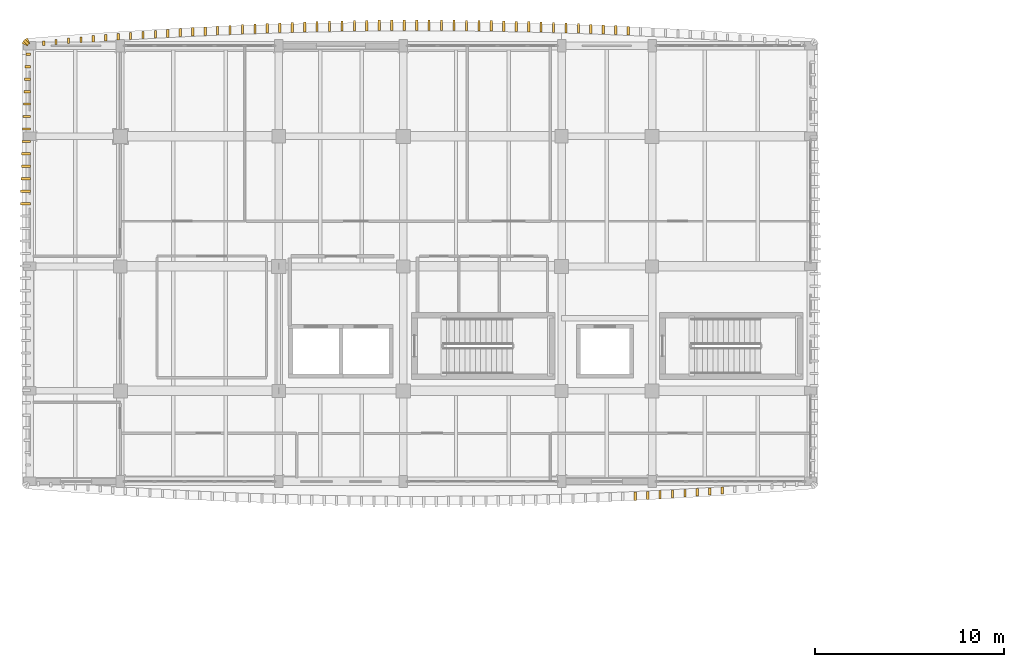
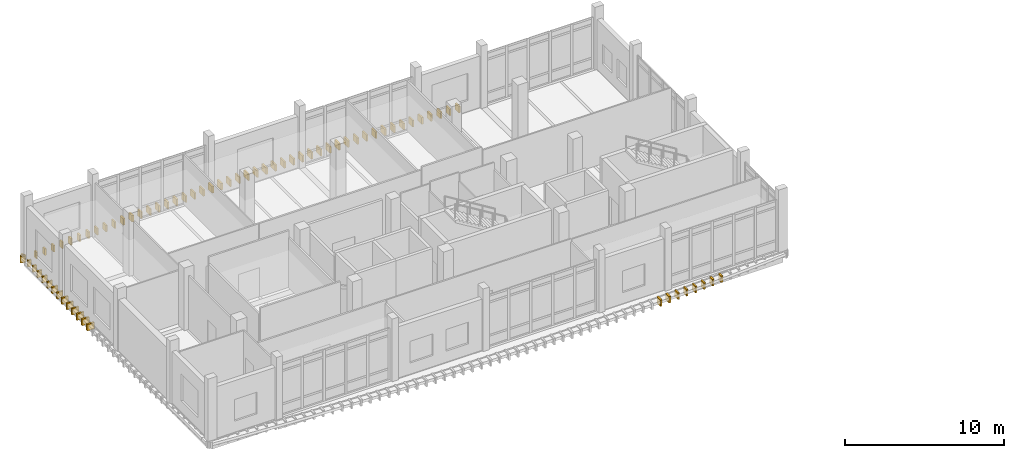
# One storey, part 35 of 39: 72 coverings.
"""IFC4 building model written with IfcOpenShell, lengths in metres."""

from ifc_helpers import new_model, si_unit, direction, frame, origin, origin_2d, place, context, subcontext, project, spatial, rectangle, extrude, material, layer, layer_set, type_object, element, save


model = new_model("IFC4")

# Units and contexts
model_context = context("Model", 3, precision=1e-05, world=origin(), true_north=direction((0.0, 1.0)))
body_context = subcontext(model_context, "Body", "Model", "MODEL_VIEW")
ifc_project = project(units=[si_unit("LENGTHUNIT", "METRE"), si_unit("AREAUNIT", "SQUARE_METRE"), si_unit("VOLUMEUNIT", "CUBIC_METRE"), si_unit("PLANEANGLEUNIT", "RADIAN"), si_unit("MASSUNIT", "GRAM", prefix="KILO")], contexts=[model_context])

# Site, building, storey
site_placement = place(None, origin())
site = spatial("IfcSite", under=ifc_project, at=site_placement, CompositionType="ELEMENT")
building_placement = place(site_placement, origin())
building = spatial("IfcBuilding", under=site, at=building_placement, Name="Dornvale Research Institute", CompositionType="ELEMENT")
storey_placement = place(building_placement, frame((0.0, 0.0, 24.60009765625)))
storey = spatial("IfcBuildingStorey", under=building, at=storey_placement, Name="L05", CompositionType="ELEMENT", Elevation=24.60009765625)

# Coverings
ifc_material = material(Name="Polychrome Glazed Terracotta Visor Rib Ceramic", Category="masonry")
ifc_layer = layer(ifc_material, 0.1201171875)
ifc_layer_set = layer_set([ifc_layer], Name="Polychrome Glazed Terracotta Visor Rib Ceramic")
covering_type = type_object("IfcCoveringType", Name="Covering_VisorBlade_Main", PredefinedType="CLADDING", material=ifc_layer_set)
covering_1_placement = place(storey_placement, frame((32.102783203125, 98.220703125, -0.489990234375), z_axis=(0.0, 0.0, 1.0), x_axis=(0.0, 1.0, 0.0)))
element("IfcCovering", 1, at=covering_1_placement, inside=storey, type_object=covering_type, Name="L05 V5 canted glazed terracotta visor blade #835", PredefinedType="CLADDING", context=body_context, shape_type="SweptSolid", body=[
    extrude(rectangle(XDim=0.45703125, YDim=0.1201171875, at=origin_2d()), origin(), (0.0, 0.0, 1.0), 0.5),
])
covering_2_placement = place(storey_placement, frame((32.76220703125, 98.257080078125, -0.489990234375), z_axis=(0.0, 0.0, 1.0), x_axis=(0.0, 1.0, 0.0)))
element("IfcCovering", 2, at=covering_2_placement, inside=storey, type_object=covering_type, Name="L05 V5 canted glazed terracotta visor blade #836", PredefinedType="CLADDING", context=body_context, shape_type="SweptSolid", body=[
    extrude(rectangle(XDim=0.445068359375, YDim=0.1201171875, at=origin_2d()), origin(), (0.0, 0.0, 1.0), 0.5),
])
covering_3_placement = place(storey_placement, frame((33.42138671875, 98.2958984375, -0.489990234375), z_axis=(0.0, 0.0, 1.0), x_axis=(0.0, 1.0, 0.0)))
element("IfcCovering", 3, at=covering_3_placement, inside=storey, type_object=covering_type, Name="L05 V5 canted glazed terracotta visor blade #837", PredefinedType="CLADDING", context=body_context, shape_type="SweptSolid", body=[
    extrude(rectangle(XDim=0.431884765625, YDim=0.1201171875, at=origin_2d()), origin(), (0.0, 0.0, 1.0), 0.5),
])
covering_4_placement = place(storey_placement, frame((34.08056640625, 98.33740234375, -0.489990234375), z_axis=(0.0, 0.0, 1.0), x_axis=(0.0, 1.0, 0.0)))
element("IfcCovering", 4, at=covering_4_placement, inside=storey, type_object=covering_type, Name="L05 V5 canted glazed terracotta visor blade #838", PredefinedType="CLADDING", context=body_context, shape_type="SweptSolid", body=[
    extrude(rectangle(XDim=0.41796875, YDim=0.1201171875, at=origin_2d()), origin(), (0.0, 0.0, 1.0), 0.5),
])
covering_5_placement = place(storey_placement, frame((34.739501953125, 98.379150390625, -0.489990234375), z_axis=(0.0, 0.0, 1.0), x_axis=(0.0, 1.0, 0.0)))
element("IfcCovering", 5, at=covering_5_placement, inside=storey, type_object=covering_type, Name="L05 V5 canted glazed terracotta visor blade #839", PredefinedType="CLADDING", context=body_context, shape_type="SweptSolid", body=[
    extrude(rectangle(XDim=0.404052734375, YDim=0.1201171875, at=origin_2d()), origin(), (0.0, 0.0, 1.0), 0.5),
])
covering_6_placement = place(storey_placement, frame((35.3984375, 98.42529296875, -0.489990234375), z_axis=(0.0, 0.0, 1.0), x_axis=(0.0, 1.0, 0.0)))
element("IfcCovering", 6, at=covering_6_placement, inside=storey, type_object=covering_type, Name="L05 V5 canted glazed terracotta visor blade #840", PredefinedType="CLADDING", context=body_context, shape_type="SweptSolid", body=[
    extrude(rectangle(XDim=0.388916015625, YDim=0.1201171875, at=origin_2d()), origin(), (0.0, 0.0, 1.0), 0.5),
])
covering_7_placement = place(storey_placement, frame((36.057373046875, 98.472412109375, -0.489990234375), z_axis=(0.0, 0.0, 1.0), x_axis=(0.0, 1.0, 0.0)))
element("IfcCovering", 7, at=covering_7_placement, inside=storey, type_object=covering_type, Name="L05 V5 canted glazed terracotta visor blade #841", PredefinedType="CLADDING", context=body_context, shape_type="SweptSolid", body=[
    extrude(rectangle(XDim=0.373046875, YDim=0.1201171875, at=origin_2d()), origin(), (0.0, 0.0, 1.0), 0.5),
])
covering_8_placement = place(storey_placement, frame((36.716064453125, 98.521240234375, -0.489990234375), z_axis=(0.0, 0.0, 1.0), x_axis=(0.0, 1.0, 0.0)))
element("IfcCovering", 8, at=covering_8_placement, inside=storey, type_object=covering_type, Name="L05 V5 canted glazed terracotta visor blade #842", PredefinedType="CLADDING", context=body_context, shape_type="SweptSolid", body=[
    extrude(rectangle(XDim=0.35693359375, YDim=0.1201171875, at=origin_2d()), origin(), (0.0, 0.0, 1.0), 0.5),
])
covering_9_placement = place(storey_placement, frame((31.729736328125, 122.89990234375, -0.489990234375), z_axis=(0.0, 0.0, 1.0), x_axis=(0.0, 1.0, 0.0)))
element("IfcCovering", 9, at=covering_9_placement, inside=storey, type_object=covering_type, Name="L05 V5 canted glazed terracotta visor blade #863", PredefinedType="CLADDING", context=body_context, shape_type="SweptSolid", body=[
    extrude(rectangle(XDim=0.464111328125, YDim=0.1201171875, at=origin_2d()), origin(), (0.0, 0.0, 1.0), 0.5),
])
covering_10_placement = place(storey_placement, frame((31.0703125, 122.93310546875, -0.489990234375), z_axis=(0.0, 0.0, 1.0), x_axis=(0.0, 1.0, 0.0)))
element("IfcCovering", 10, at=covering_10_placement, inside=storey, type_object=covering_type, Name="L05 V5 canted glazed terracotta visor blade #864", PredefinedType="CLADDING", context=body_context, shape_type="SweptSolid", body=[
    extrude(rectangle(XDim=0.47509765625, YDim=0.1201171875, at=origin_2d()), origin(), (0.0, 0.0, 1.0), 0.5),
])
covering_11_placement = place(storey_placement, frame((30.410888671875, 122.964111328125, -0.489990234375), z_axis=(0.0, 0.0, 1.0), x_axis=(0.0, 1.0, 0.0)))
element("IfcCovering", 11, at=covering_11_placement, inside=storey, type_object=covering_type, Name="L05 V5 canted glazed terracotta visor blade #865", PredefinedType="CLADDING", context=body_context, shape_type="SweptSolid", body=[
    extrude(rectangle(XDim=0.485107421875, YDim=0.1201171875, at=origin_2d()), origin(), (0.0, 0.0, 1.0), 0.5),
])
covering_12_placement = place(storey_placement, frame((29.751220703125, 122.994873046875, -0.489990234375), z_axis=(0.0, 0.0, 1.0), x_axis=(0.0, 1.0, 0.0)))
element("IfcCovering", 12, at=covering_12_placement, inside=storey, type_object=covering_type, Name="L05 V5 canted glazed terracotta visor blade #866", PredefinedType="CLADDING", context=body_context, shape_type="SweptSolid", body=[
    extrude(rectangle(XDim=0.4951171875, YDim=0.1201171875, at=origin_2d()), origin(), (0.0, 0.0, 1.0), 0.5),
])
covering_13_placement = place(storey_placement, frame((29.091552734375, 123.02099609375, -0.489990234375), z_axis=(0.0, 0.0, 1.0), x_axis=(0.0, 1.0, 0.0)))
element("IfcCovering", 13, at=covering_13_placement, inside=storey, type_object=covering_type, Name="L05 V5 canted glazed terracotta visor blade #867", PredefinedType="CLADDING", context=body_context, shape_type="SweptSolid", body=[
    extrude(rectangle(XDim=0.50390625, YDim=0.1201171875, at=origin_2d()), origin(), (0.0, 0.0, 1.0), 0.5),
])
covering_14_placement = place(storey_placement, frame((28.431884765625, 123.047119140625, -0.489990234375), z_axis=(0.0, 0.0, 1.0), x_axis=(0.0, 1.0, 0.0)))
element("IfcCovering", 14, at=covering_14_placement, inside=storey, type_object=covering_type, Name="L05 V5 canted glazed terracotta visor blade #868", PredefinedType="CLADDING", context=body_context, shape_type="SweptSolid", body=[
    extrude(rectangle(XDim=0.512939453125, YDim=0.1201171875, at=origin_2d()), origin(), (0.0, 0.0, 1.0), 0.5),
])
covering_15_placement = place(storey_placement, frame((27.772216796875, 123.06982421875, -0.489990234375), z_axis=(0.0, 0.0, 1.0), x_axis=(0.0, 1.0, 0.0)))
element("IfcCovering", 15, at=covering_15_placement, inside=storey, type_object=covering_type, Name="L05 V5 canted glazed terracotta visor blade #869", PredefinedType="CLADDING", context=body_context, shape_type="SweptSolid", body=[
    extrude(rectangle(XDim=0.52001953125, YDim=0.1201171875, at=origin_2d()), origin(), (0.0, 0.0, 1.0), 0.5),
])
covering_16_placement = place(storey_placement, frame((27.112548828125, 123.0908203125, -0.489990234375), z_axis=(0.0, 0.0, 1.0), x_axis=(0.0, 1.0, 0.0)))
element("IfcCovering", 16, at=covering_16_placement, inside=storey, type_object=covering_type, Name="L05 V5 canted glazed terracotta visor blade #870", PredefinedType="CLADDING", context=body_context, shape_type="SweptSolid", body=[
    extrude(rectangle(XDim=0.527099609375, YDim=0.1201171875, at=origin_2d()), origin(), (0.0, 0.0, 1.0), 0.5),
])
covering_17_placement = place(storey_placement, frame((26.45263671875, 123.111328125, -0.489990234375), z_axis=(0.0, 0.0, 1.0), x_axis=(0.0, 1.0, 0.0)))
element("IfcCovering", 17, at=covering_17_placement, inside=storey, type_object=covering_type, Name="L05 V5 canted glazed terracotta visor blade #871", PredefinedType="CLADDING", context=body_context, shape_type="SweptSolid", body=[
    extrude(rectangle(XDim=0.533935546875, YDim=0.1201171875, at=origin_2d()), origin(), (0.0, 0.0, 1.0), 0.5),
])
covering_18_placement = place(storey_placement, frame((25.792724609375, 123.126708984375, -0.489990234375), z_axis=(0.0, 0.0, 1.0), x_axis=(0.0, 1.0, 0.0)))
element("IfcCovering", 18, at=covering_18_placement, inside=storey, type_object=covering_type, Name="L05 V5 canted glazed terracotta visor blade #872", PredefinedType="CLADDING", context=body_context, shape_type="SweptSolid", body=[
    extrude(rectangle(XDim=0.5390625, YDim=0.1201171875, at=origin_2d()), origin(), (0.0, 0.0, 1.0), 0.5),
])
covering_19_placement = place(storey_placement, frame((25.133056640625, 123.14208984375, -0.489990234375), z_axis=(0.0, 0.0, 1.0), x_axis=(0.0, 1.0, 0.0)))
element("IfcCovering", 19, at=covering_19_placement, inside=storey, type_object=covering_type, Name="L05 V5 canted glazed terracotta visor blade #873", PredefinedType="CLADDING", context=body_context, shape_type="SweptSolid", body=[
    extrude(rectangle(XDim=0.5439453125, YDim=0.1201171875, at=origin_2d()), origin(), (0.0, 0.0, 1.0), 0.5),
])
covering_20_placement = place(storey_placement, frame((24.47314453125, 123.1552734375, -0.489990234375), z_axis=(0.0, 0.0, 1.0), x_axis=(0.0, 1.0, 0.0)))
element("IfcCovering", 20, at=covering_20_placement, inside=storey, type_object=covering_type, Name="L05 V5 canted glazed terracotta visor blade #874", PredefinedType="CLADDING", context=body_context, shape_type="SweptSolid", body=[
    extrude(rectangle(XDim=0.549072265625, YDim=0.1201171875, at=origin_2d()), origin(), (0.0, 0.0, 1.0), 0.5),
])
covering_21_placement = place(storey_placement, frame((23.81298828125, 123.16552734375, -0.489990234375), z_axis=(0.0, 0.0, 1.0), x_axis=(0.0, 1.0, 0.0)))
element("IfcCovering", 21, at=covering_21_placement, inside=storey, type_object=covering_type, Name="L05 V5 canted glazed terracotta visor blade #875", PredefinedType="CLADDING", context=body_context, shape_type="SweptSolid", body=[
    extrude(rectangle(XDim=0.552001953125, YDim=0.1201171875, at=origin_2d()), origin(), (0.0, 0.0, 1.0), 0.5),
])
covering_22_placement = place(storey_placement, frame((23.1533203125, 123.175537109375, -0.489990234375), z_axis=(0.0, 0.0, 1.0), x_axis=(0.0, 1.0, 0.0)))
element("IfcCovering", 22, at=covering_22_placement, inside=storey, type_object=covering_type, Name="L05 V5 canted glazed terracotta visor blade #876", PredefinedType="CLADDING", context=body_context, shape_type="SweptSolid", body=[
    extrude(rectangle(XDim=0.554931640625, YDim=0.1201171875, at=origin_2d()), origin(), (0.0, 0.0, 1.0), 0.5),
])
covering_23_placement = place(storey_placement, frame((22.4931640625, 123.180908203125, -0.489990234375), z_axis=(0.0, 0.0, 1.0), x_axis=(0.0, 1.0, 0.0)))
element("IfcCovering", 23, at=covering_23_placement, inside=storey, type_object=covering_type, Name="L05 V5 canted glazed terracotta visor blade #877", PredefinedType="CLADDING", context=body_context, shape_type="SweptSolid", body=[
    extrude(rectangle(XDim=0.556884765625, YDim=0.1201171875, at=origin_2d()), origin(), (0.0, 0.0, 1.0), 0.5),
])
covering_24_placement = place(storey_placement, frame((21.833251953125, 123.18603515625, -0.489990234375), z_axis=(0.0, 0.0, 1.0), x_axis=(0.0, 1.0, 0.0)))
element("IfcCovering", 24, at=covering_24_placement, inside=storey, type_object=covering_type, Name="L05 V5 canted glazed terracotta visor blade #878", PredefinedType="CLADDING", context=body_context, shape_type="SweptSolid", body=[
    extrude(rectangle(XDim=0.55908203125, YDim=0.1201171875, at=origin_2d()), origin(), (0.0, 0.0, 1.0), 0.5),
])
for number, where, z_axis, x_axis, name in (
    (25, (21.173095703125, 123.188720703125, -0.489990234375), (0.0, 0.0, 1.0), (0.0, 1.0, 0.0), "L05 V5 canted glazed terracotta visor blade #879"),
    (26, (20.51318359375, 123.188720703125, -0.489990234375), (0.0, 0.0, 1.0), (0.0, 1.0, 0.0), "L05 V5 canted glazed terracotta visor blade #880"),
):
    element("IfcCovering", number, at=place(storey_placement, frame(where, z_axis=z_axis, x_axis=x_axis)), inside=storey, type_object=covering_type, Name=name, PredefinedType="CLADDING", context=body_context, shape_type="SweptSolid", body=[
        extrude(rectangle(XDim=0.56005859375, YDim=0.1201171875, at=origin_2d()), origin(), (0.0, 0.0, 1.0), 0.5),
    ])
covering_25_placement = place(storey_placement, frame((19.853271484375, 123.18798828125, -0.489990234375), z_axis=(0.0, 0.0, 1.0), x_axis=(0.0, 1.0, 0.0)))
element("IfcCovering", 27, at=covering_25_placement, inside=storey, type_object=covering_type, Name="L05 V5 canted glazed terracotta visor blade #881", PredefinedType="CLADDING", context=body_context, shape_type="SweptSolid", body=[
    extrude(rectangle(XDim=0.55908203125, YDim=0.1201171875, at=origin_2d()), origin(), (0.0, 0.0, 1.0), 0.5),
])
covering_26_placement = place(storey_placement, frame((19.193115234375, 123.18310546875, -0.489990234375), z_axis=(0.0, 0.0, 1.0), x_axis=(0.0, 1.0, 0.0)))
element("IfcCovering", 28, at=covering_26_placement, inside=storey, type_object=covering_type, Name="L05 V5 canted glazed terracotta visor blade #882", PredefinedType="CLADDING", context=body_context, shape_type="SweptSolid", body=[
    extrude(rectangle(XDim=0.55810546875, YDim=0.1201171875, at=origin_2d()), origin(), (0.0, 0.0, 1.0), 0.5),
])
covering_27_placement = place(storey_placement, frame((18.533203125, 123.177978515625, -0.489990234375), z_axis=(0.0, 0.0, 1.0), x_axis=(0.0, 1.0, 0.0)))
element("IfcCovering", 29, at=covering_27_placement, inside=storey, type_object=covering_type, Name="L05 V5 canted glazed terracotta visor blade #883", PredefinedType="CLADDING", context=body_context, shape_type="SweptSolid", body=[
    extrude(rectangle(XDim=0.555908203125, YDim=0.1201171875, at=origin_2d()), origin(), (0.0, 0.0, 1.0), 0.5),
])
covering_28_placement = place(storey_placement, frame((17.873291015625, 123.17041015625, -0.489990234375), z_axis=(0.0, 0.0, 1.0), x_axis=(0.0, 1.0, 0.0)))
element("IfcCovering", 30, at=covering_28_placement, inside=storey, type_object=covering_type, Name="L05 V5 canted glazed terracotta visor blade #884", PredefinedType="CLADDING", context=body_context, shape_type="SweptSolid", body=[
    extrude(rectangle(XDim=0.553955078125, YDim=0.1201171875, at=origin_2d()), origin(), (0.0, 0.0, 1.0), 0.5),
])
covering_29_placement = place(storey_placement, frame((17.21337890625, 123.15966796875, -0.489990234375), z_axis=(0.0, 0.0, 1.0), x_axis=(0.0, 1.0, 0.0)))
element("IfcCovering", 31, at=covering_29_placement, inside=storey, type_object=covering_type, Name="L05 V5 canted glazed terracotta visor blade #885", PredefinedType="CLADDING", context=body_context, shape_type="SweptSolid", body=[
    extrude(rectangle(XDim=0.550048828125, YDim=0.1201171875, at=origin_2d()), origin(), (0.0, 0.0, 1.0), 0.5),
])
covering_30_placement = place(storey_placement, frame((16.553466796875, 123.14892578125, -0.489990234375), z_axis=(0.0, 0.0, 1.0), x_axis=(0.0, 1.0, 0.0)))
element("IfcCovering", 32, at=covering_30_placement, inside=storey, type_object=covering_type, Name="L05 V5 canted glazed terracotta visor blade #886", PredefinedType="CLADDING", context=body_context, shape_type="SweptSolid", body=[
    extrude(rectangle(XDim=0.5458984375, YDim=0.1201171875, at=origin_2d()), origin(), (0.0, 0.0, 1.0), 0.5),
])
covering_31_placement = place(storey_placement, frame((15.8935546875, 123.1337890625, -0.489990234375), z_axis=(0.0, 0.0, 1.0), x_axis=(0.0, 1.0, 0.0)))
element("IfcCovering", 33, at=covering_31_placement, inside=storey, type_object=covering_type, Name="L05 V5 canted glazed terracotta visor blade #887", PredefinedType="CLADDING", context=body_context, shape_type="SweptSolid", body=[
    extrude(rectangle(XDim=0.5419921875, YDim=0.1201171875, at=origin_2d()), origin(), (0.0, 0.0, 1.0), 0.5),
])
covering_32_placement = place(storey_placement, frame((15.233642578125, 123.117919921875, -0.489990234375), z_axis=(0.0, 0.0, 1.0), x_axis=(0.0, 1.0, 0.0)))
element("IfcCovering", 34, at=covering_32_placement, inside=storey, type_object=covering_type, Name="L05 V5 canted glazed terracotta visor blade #888", PredefinedType="CLADDING", context=body_context, shape_type="SweptSolid", body=[
    extrude(rectangle(XDim=0.535888671875, YDim=0.1201171875, at=origin_2d()), origin(), (0.0, 0.0, 1.0), 0.5),
])
covering_33_placement = place(storey_placement, frame((14.57373046875, 123.099609375, -0.489990234375), z_axis=(0.0, 0.0, 1.0), x_axis=(0.0, 1.0, 0.0)))
element("IfcCovering", 35, at=covering_33_placement, inside=storey, type_object=covering_type, Name="L05 V5 canted glazed terracotta visor blade #889", PredefinedType="CLADDING", context=body_context, shape_type="SweptSolid", body=[
    extrude(rectangle(XDim=0.530029296875, YDim=0.1201171875, at=origin_2d()), origin(), (0.0, 0.0, 1.0), 0.5),
])
covering_34_placement = place(storey_placement, frame((13.9140625, 123.079345703125, -0.489990234375), z_axis=(0.0, 0.0, 1.0), x_axis=(0.0, 1.0, 0.0)))
element("IfcCovering", 36, at=covering_34_placement, inside=storey, type_object=covering_type, Name="L05 V5 canted glazed terracotta visor blade #890", PredefinedType="CLADDING", context=body_context, shape_type="SweptSolid", body=[
    extrude(rectangle(XDim=0.52392578125, YDim=0.1201171875, at=origin_2d()), origin(), (0.0, 0.0, 1.0), 0.5),
])
covering_35_placement = place(storey_placement, frame((13.25439453125, 123.05810546875, -0.489990234375), z_axis=(0.0, 0.0, 1.0), x_axis=(0.0, 1.0, 0.0)))
element("IfcCovering", 37, at=covering_35_placement, inside=storey, type_object=covering_type, Name="L05 V5 canted glazed terracotta visor blade #891", PredefinedType="CLADDING", context=body_context, shape_type="SweptSolid", body=[
    extrude(rectangle(XDim=0.51611328125, YDim=0.1201171875, at=origin_2d()), origin(), (0.0, 0.0, 1.0), 0.5),
])
covering_36_placement = place(storey_placement, frame((12.594482421875, 123.0322265625, -0.489990234375), z_axis=(0.0, 0.0, 1.0), x_axis=(0.0, 1.0, 0.0)))
element("IfcCovering", 38, at=covering_36_placement, inside=storey, type_object=covering_type, Name="L05 V5 canted glazed terracotta visor blade #892", PredefinedType="CLADDING", context=body_context, shape_type="SweptSolid", body=[
    extrude(rectangle(XDim=0.508056640625, YDim=0.1201171875, at=origin_2d()), origin(), (0.0, 0.0, 1.0), 0.5),
])
covering_37_placement = place(storey_placement, frame((11.93505859375, 123.006103515625, -0.489990234375), z_axis=(0.0, 0.0, 1.0), x_axis=(0.0, 1.0, 0.0)))
element("IfcCovering", 39, at=covering_37_placement, inside=storey, type_object=covering_type, Name="L05 V5 canted glazed terracotta visor blade #893", PredefinedType="CLADDING", context=body_context, shape_type="SweptSolid", body=[
    extrude(rectangle(XDim=0.4990234375, YDim=0.1201171875, at=origin_2d()), origin(), (0.0, 0.0, 1.0), 0.5),
])
covering_38_placement = place(storey_placement, frame((11.275390625, 122.977783203125, -0.489990234375), z_axis=(0.0, 0.0, 1.0), x_axis=(0.0, 1.0, 0.0)))
element("IfcCovering", 40, at=covering_38_placement, inside=storey, type_object=covering_type, Name="L05 V5 canted glazed terracotta visor blade #894", PredefinedType="CLADDING", context=body_context, shape_type="SweptSolid", body=[
    extrude(rectangle(XDim=0.489990234375, YDim=0.1201171875, at=origin_2d()), origin(), (0.0, 0.0, 1.0), 0.5),
])
covering_39_placement = place(storey_placement, frame((10.615966796875, 122.946533203125, -0.489990234375), z_axis=(0.0, 0.0, 1.0), x_axis=(0.0, 1.0, 0.0)))
element("IfcCovering", 41, at=covering_39_placement, inside=storey, type_object=covering_type, Name="L05 V5 canted glazed terracotta visor blade #895", PredefinedType="CLADDING", context=body_context, shape_type="SweptSolid", body=[
    extrude(rectangle(XDim=0.47900390625, YDim=0.1201171875, at=origin_2d()), origin(), (0.0, 0.0, 1.0), 0.5),
])
covering_40_placement = place(storey_placement, frame((9.956298828125, 122.91552734375, -0.489990234375), z_axis=(0.0, 0.0, 1.0), x_axis=(0.0, 1.0, 0.0)))
element("IfcCovering", 42, at=covering_40_placement, inside=storey, type_object=covering_type, Name="L05 V5 canted glazed terracotta visor blade #896", PredefinedType="CLADDING", context=body_context, shape_type="SweptSolid", body=[
    extrude(rectangle(XDim=0.468994140625, YDim=0.1201171875, at=origin_2d()), origin(), (0.0, 0.0, 1.0), 0.5),
])
covering_41_placement = place(storey_placement, frame((9.297119140625, 122.87939453125, -0.489990234375), z_axis=(0.0, 0.0, 1.0), x_axis=(0.0, 1.0, 0.0)))
element("IfcCovering", 43, at=covering_41_placement, inside=storey, type_object=covering_type, Name="L05 V5 canted glazed terracotta visor blade #897", PredefinedType="CLADDING", context=body_context, shape_type="SweptSolid", body=[
    extrude(rectangle(XDim=0.45703125, YDim=0.1201171875, at=origin_2d()), origin(), (0.0, 0.0, 1.0), 0.5),
])
covering_42_placement = place(storey_placement, frame((8.6376953125, 122.843017578125, -0.489990234375), z_axis=(0.0, 0.0, 1.0), x_axis=(0.0, 1.0, 0.0)))
element("IfcCovering", 44, at=covering_42_placement, inside=storey, type_object=covering_type, Name="L05 V5 canted glazed terracotta visor blade #898", PredefinedType="CLADDING", context=body_context, shape_type="SweptSolid", body=[
    extrude(rectangle(XDim=0.445068359375, YDim=0.1201171875, at=origin_2d()), origin(), (0.0, 0.0, 1.0), 0.5),
])
covering_43_placement = place(storey_placement, frame((7.978515625, 122.80419921875, -0.489990234375), z_axis=(0.0, 0.0, 1.0), x_axis=(0.0, 1.0, 0.0)))
element("IfcCovering", 45, at=covering_43_placement, inside=storey, type_object=covering_type, Name="L05 V5 canted glazed terracotta visor blade #899", PredefinedType="CLADDING", context=body_context, shape_type="SweptSolid", body=[
    extrude(rectangle(XDim=0.431884765625, YDim=0.1201171875, at=origin_2d()), origin(), (0.0, 0.0, 1.0), 0.5),
])
covering_44_placement = place(storey_placement, frame((7.319580078125, 122.762451171875, -0.489990234375), z_axis=(0.0, 0.0, 1.0), x_axis=(0.0, 1.0, 0.0)))
element("IfcCovering", 46, at=covering_44_placement, inside=storey, type_object=covering_type, Name="L05 V5 canted glazed terracotta visor blade #900", PredefinedType="CLADDING", context=body_context, shape_type="SweptSolid", body=[
    extrude(rectangle(XDim=0.41796875, YDim=0.1201171875, at=origin_2d()), origin(), (0.0, 0.0, 1.0), 0.5),
])
covering_45_placement = place(storey_placement, frame((6.660400390625, 122.720947265625, -0.489990234375), z_axis=(0.0, 0.0, 1.0), x_axis=(0.0, 1.0, 0.0)))
element("IfcCovering", 47, at=covering_45_placement, inside=storey, type_object=covering_type, Name="L05 V5 canted glazed terracotta visor blade #901", PredefinedType="CLADDING", context=body_context, shape_type="SweptSolid", body=[
    extrude(rectangle(XDim=0.404052734375, YDim=0.1201171875, at=origin_2d()), origin(), (0.0, 0.0, 1.0), 0.5),
])
covering_46_placement = place(storey_placement, frame((6.001708984375, 122.6748046875, -0.489990234375), z_axis=(0.0, 0.0, 1.0), x_axis=(0.0, 1.0, 0.0)))
element("IfcCovering", 48, at=covering_46_placement, inside=storey, type_object=covering_type, Name="L05 V5 canted glazed terracotta visor blade #902", PredefinedType="CLADDING", context=body_context, shape_type="SweptSolid", body=[
    extrude(rectangle(XDim=0.388916015625, YDim=0.1201171875, at=origin_2d()), origin(), (0.0, 0.0, 1.0), 0.5),
])
covering_47_placement = place(storey_placement, frame((5.3427734375, 122.627685546875, -0.489990234375), z_axis=(0.0, 0.0, 1.0), x_axis=(0.0, 1.0, 0.0)))
element("IfcCovering", 49, at=covering_47_placement, inside=storey, type_object=covering_type, Name="L05 V5 canted glazed terracotta visor blade #903", PredefinedType="CLADDING", context=body_context, shape_type="SweptSolid", body=[
    extrude(rectangle(XDim=0.373046875, YDim=0.1201171875, at=origin_2d()), origin(), (0.0, 0.0, 1.0), 0.5),
])
covering_48_placement = place(storey_placement, frame((4.68408203125, 122.578857421875, -0.489990234375), z_axis=(0.0, 0.0, 1.0), x_axis=(0.0, 1.0, 0.0)))
element("IfcCovering", 50, at=covering_48_placement, inside=storey, type_object=covering_type, Name="L05 V5 canted glazed terracotta visor blade #904", PredefinedType="CLADDING", context=body_context, shape_type="SweptSolid", body=[
    extrude(rectangle(XDim=0.35693359375, YDim=0.1201171875, at=origin_2d()), origin(), (0.0, 0.0, 1.0), 0.5),
])
covering_49_placement = place(storey_placement, frame((4.025390625, 122.527099609375, -0.489990234375), z_axis=(0.0, 0.0, 1.0), x_axis=(0.0, 1.0, 0.0)))
element("IfcCovering", 51, at=covering_49_placement, inside=storey, type_object=covering_type, Name="L05 V5 canted glazed terracotta visor blade #905", PredefinedType="CLADDING", context=body_context, shape_type="SweptSolid", body=[
    extrude(rectangle(XDim=0.340087890625, YDim=0.1201171875, at=origin_2d()), origin(), (0.0, 0.0, 1.0), 0.5),
])
covering_50_placement = place(storey_placement, frame((3.36669921875, 122.474853515625, -0.489990234375), z_axis=(0.0, 0.0, 1.0), x_axis=(0.0, 1.0, 0.0)))
element("IfcCovering", 52, at=covering_50_placement, inside=storey, type_object=covering_type, Name="L05 V5 canted glazed terracotta visor blade #906", PredefinedType="CLADDING", context=body_context, shape_type="SweptSolid", body=[
    extrude(rectangle(XDim=0.322021484375, YDim=0.1201171875, at=origin_2d()), origin(), (0.0, 0.0, 1.0), 0.5),
])
covering_51_placement = place(storey_placement, frame((2.70849609375, 122.418212890625, -0.489990234375), z_axis=(0.0, 0.0, 1.0), x_axis=(0.0, 1.0, 0.0)))
element("IfcCovering", 53, at=covering_51_placement, inside=storey, type_object=covering_type, Name="L05 V5 canted glazed terracotta visor blade #907", PredefinedType="CLADDING", context=body_context, shape_type="SweptSolid", body=[
    extrude(rectangle(XDim=0.302978515625, YDim=0.1201171875, at=origin_2d()), origin(), (0.0, 0.0, 1.0), 0.5),
])
covering_52_placement = place(storey_placement, frame((2.05029296875, 122.361083984375, -0.489990234375), z_axis=(0.0, 0.0, 1.0), x_axis=(0.0, 1.0, 0.0)))
element("IfcCovering", 54, at=covering_52_placement, inside=storey, type_object=covering_type, Name="L05 V5 canted glazed terracotta visor blade #908", PredefinedType="CLADDING", context=body_context, shape_type="SweptSolid", body=[
    extrude(rectangle(XDim=0.283935546875, YDim=0.1201171875, at=origin_2d()), origin(), (0.0, 0.0, 1.0), 0.5),
])
covering_53_placement = place(storey_placement, frame((1.39208984375, 122.3017578125, -0.489990234375), z_axis=(0.0, 0.0, 1.0), x_axis=(0.0, 1.0, 0.0)))
element("IfcCovering", 55, at=covering_53_placement, inside=storey, type_object=covering_type, Name="L05 V5 canted glazed terracotta visor blade #909", PredefinedType="CLADDING", context=body_context, shape_type="SweptSolid", body=[
    extrude(rectangle(XDim=0.263916015625, YDim=0.1201171875, at=origin_2d()), origin(), (0.0, 0.0, 1.0), 0.5),
])
covering_54_placement = place(storey_placement, frame((0.734130859375, 122.239990234375, -0.489990234375), z_axis=(0.0, 0.0, 1.0), x_axis=(0.0, 1.0, 0.0)))
element("IfcCovering", 56, at=covering_54_placement, inside=storey, type_object=covering_type, Name="L05 V5 canted glazed terracotta visor blade #910", PredefinedType="CLADDING", context=body_context, shape_type="SweptSolid", body=[
    extrude(rectangle(XDim=0.243896484375, YDim=0.1201171875, at=origin_2d()), origin(), (0.0, 0.0, 1.0), 0.5),
])
covering_55_placement = place(storey_placement, frame((-0.0830078125, 121.64990234375, -0.489990234375), z_axis=(0.0, 0.0, 1.0), x_axis=(1.0, 0.0, 0.0)))
element("IfcCovering", 57, at=covering_55_placement, inside=storey, type_object=covering_type, Name="L05 V5 canted glazed terracotta visor blade #945", PredefinedType="CLADDING", context=body_context, shape_type="SweptSolid", body=[
    extrude(rectangle(XDim=0.24609375, YDim=0.1201171875, at=origin_2d()), origin(), (0.0, 0.0, 1.0), 0.5),
])
covering_56_placement = place(storey_placement, frame((-0.10107421875, 120.989990234375, -0.489990234375), z_axis=(0.0, 0.0, 1.0), x_axis=(1.0, 0.0, 0.0)))
element("IfcCovering", 58, at=covering_56_placement, inside=storey, type_object=covering_type, Name="L05 V5 canted glazed terracotta visor blade #946", PredefinedType="CLADDING", context=body_context, shape_type="SweptSolid", body=[
    extrude(rectangle(XDim=0.281982421875, YDim=0.1201171875, at=origin_2d()), origin(), (0.0, 0.0, 1.0), 0.5),
])
covering_57_placement = place(storey_placement, frame((-0.117919921875, 120.330078125, -0.489990234375), z_axis=(0.0, 0.0, 1.0), x_axis=(1.0, 0.0, 0.0)))
element("IfcCovering", 59, at=covering_57_placement, inside=storey, type_object=covering_type, Name="L05 V5 canted glazed terracotta visor blade #947", PredefinedType="CLADDING", context=body_context, shape_type="SweptSolid", body=[
    extrude(rectangle(XDim=0.31591796875, YDim=0.1201171875, at=origin_2d()), origin(), (0.0, 0.0, 1.0), 0.5),
])
covering_58_placement = place(storey_placement, frame((-0.134033203125, 119.669921875, -0.489990234375), z_axis=(0.0, 0.0, 1.0), x_axis=(1.0, 0.0, 0.0)))
element("IfcCovering", 60, at=covering_58_placement, inside=storey, type_object=covering_type, Name="L05 V5 canted glazed terracotta visor blade #948", PredefinedType="CLADDING", context=body_context, shape_type="SweptSolid", body=[
    extrude(rectangle(XDim=0.347900390625, YDim=0.1201171875, at=origin_2d()), origin(), (0.0, 0.0, 1.0), 0.5),
])
covering_59_placement = place(storey_placement, frame((-0.14892578125, 119.010009765625, -0.489990234375), z_axis=(0.0, 0.0, 1.0), x_axis=(1.0, 0.0, 0.0)))
element("IfcCovering", 61, at=covering_59_placement, inside=storey, type_object=covering_type, Name="L05 V5 canted glazed terracotta visor blade #949", PredefinedType="CLADDING", context=body_context, shape_type="SweptSolid", body=[
    extrude(rectangle(XDim=0.3779296875, YDim=0.1201171875, at=origin_2d()), origin(), (0.0, 0.0, 1.0), 0.5),
])
covering_60_placement = place(storey_placement, frame((-0.16259765625, 118.35009765625, -0.489990234375), z_axis=(0.0, 0.0, 1.0), x_axis=(1.0, 0.0, 0.0)))
element("IfcCovering", 62, at=covering_60_placement, inside=storey, type_object=covering_type, Name="L05 V5 canted glazed terracotta visor blade #950", PredefinedType="CLADDING", context=body_context, shape_type="SweptSolid", body=[
    extrude(rectangle(XDim=0.405029296875, YDim=0.1201171875, at=origin_2d()), origin(), (0.0, 0.0, 1.0), 0.5),
])
covering_61_placement = place(storey_placement, frame((-0.175048828125, 117.68994140625, -0.489990234375), z_axis=(0.0, 0.0, 1.0), x_axis=(1.0, 0.0, 0.0)))
element("IfcCovering", 63, at=covering_61_placement, inside=storey, type_object=covering_type, Name="L05 V5 canted glazed terracotta visor blade #951", PredefinedType="CLADDING", context=body_context, shape_type="SweptSolid", body=[
    extrude(rectangle(XDim=0.429931640625, YDim=0.1201171875, at=origin_2d()), origin(), (0.0, 0.0, 1.0), 0.5),
])
covering_62_placement = place(storey_placement, frame((-0.1865234375, 117.030029296875, -0.489990234375), z_axis=(0.0, 0.0, 1.0), x_axis=(1.0, 0.0, 0.0)))
element("IfcCovering", 64, at=covering_62_placement, inside=storey, type_object=covering_type, Name="L05 V5 canted glazed terracotta visor blade #952", PredefinedType="CLADDING", context=body_context, shape_type="SweptSolid", body=[
    extrude(rectangle(XDim=0.452880859375, YDim=0.1201171875, at=origin_2d()), origin(), (0.0, 0.0, 1.0), 0.5),
])
covering_63_placement = place(storey_placement, frame((-0.197021484375, 116.3701171875, -0.489990234375), z_axis=(0.0, 0.0, 1.0), x_axis=(1.0, 0.0, 0.0)))
element("IfcCovering", 65, at=covering_63_placement, inside=storey, type_object=covering_type, Name="L05 V5 canted glazed terracotta visor blade #953", PredefinedType="CLADDING", context=body_context, shape_type="SweptSolid", body=[
    extrude(rectangle(XDim=0.47412109375, YDim=0.1201171875, at=origin_2d()), origin(), (0.0, 0.0, 1.0), 0.5),
])
covering_64_placement = place(storey_placement, frame((-0.2060546875, 115.7099609375, -0.489990234375), z_axis=(0.0, 0.0, 1.0), x_axis=(1.0, 0.0, 0.0)))
element("IfcCovering", 66, at=covering_64_placement, inside=storey, type_object=covering_type, Name="L05 V5 canted glazed terracotta visor blade #954", PredefinedType="CLADDING", context=body_context, shape_type="SweptSolid", body=[
    extrude(rectangle(XDim=0.491943359375, YDim=0.1201171875, at=origin_2d()), origin(), (0.0, 0.0, 1.0), 0.5),
])
covering_65_placement = place(storey_placement, frame((-0.214111328125, 115.050048828125, -0.489990234375), z_axis=(0.0, 0.0, 1.0), x_axis=(1.0, 0.0, 0.0)))
element("IfcCovering", 67, at=covering_65_placement, inside=storey, type_object=covering_type, Name="L05 V5 canted glazed terracotta visor blade #955", PredefinedType="CLADDING", context=body_context, shape_type="SweptSolid", body=[
    extrude(rectangle(XDim=0.508056640625, YDim=0.1201171875, at=origin_2d()), origin(), (0.0, 0.0, 1.0), 0.5),
])
covering_66_placement = place(storey_placement, frame((-0.220947265625, 114.389892578125, -0.489990234375), z_axis=(0.0, 0.0, 1.0), x_axis=(1.0, 0.0, 0.0)))
element("IfcCovering", 68, at=covering_66_placement, inside=storey, type_object=covering_type, Name="L05 V5 canted glazed terracotta visor blade #956", PredefinedType="CLADDING", context=body_context, shape_type="SweptSolid", body=[
    extrude(rectangle(XDim=0.52197265625, YDim=0.1201171875, at=origin_2d()), origin(), (0.0, 0.0, 1.0), 0.5),
])
covering_67_placement = place(storey_placement, frame((-0.22705078125, 113.72998046875, -0.489990234375), z_axis=(0.0, 0.0, 1.0), x_axis=(1.0, 0.0, 0.0)))
element("IfcCovering", 69, at=covering_67_placement, inside=storey, type_object=covering_type, Name="L05 V5 canted glazed terracotta visor blade #957", PredefinedType="CLADDING", context=body_context, shape_type="SweptSolid", body=[
    extrude(rectangle(XDim=0.533935546875, YDim=0.1201171875, at=origin_2d()), origin(), (0.0, 0.0, 1.0), 0.5),
])
for number, where, z_axis, x_axis, name in (
    (70, (-0.114013671875, 122.3447265625, -0.489990234375), (0.0, 0.0, 1.0), (-0.422618261741, 0.906307787037, 0.0), "L05 V5 corner-wrapping visor blade #988"),
    (71, (-0.19091796875, 122.291015625, -0.489990234375), (0.0, 0.0, 1.0), (-0.707106781187, 0.707106781187, 0.0), "L05 V5 corner-wrapping visor blade #989"),
    (72, (-0.24462890625, 122.214111328125, -0.489990234375), (0.0, 0.0, 1.0), (-0.906307787037, 0.422618261741, 0.0), "L05 V5 corner-wrapping visor blade #990"),
):
    element("IfcCovering", number, at=place(storey_placement, frame(where, z_axis=z_axis, x_axis=x_axis)), inside=storey, type_object=covering_type, Name=name, PredefinedType="CLADDING", context=body_context, shape_type="SweptSolid", body=[
        extrude(rectangle(XDim=0.320068359375, YDim=0.1201171875, at=origin_2d()), origin(), (0.0, 0.0, 1.0), 0.5),
    ])

save(model, "model.ifc")
